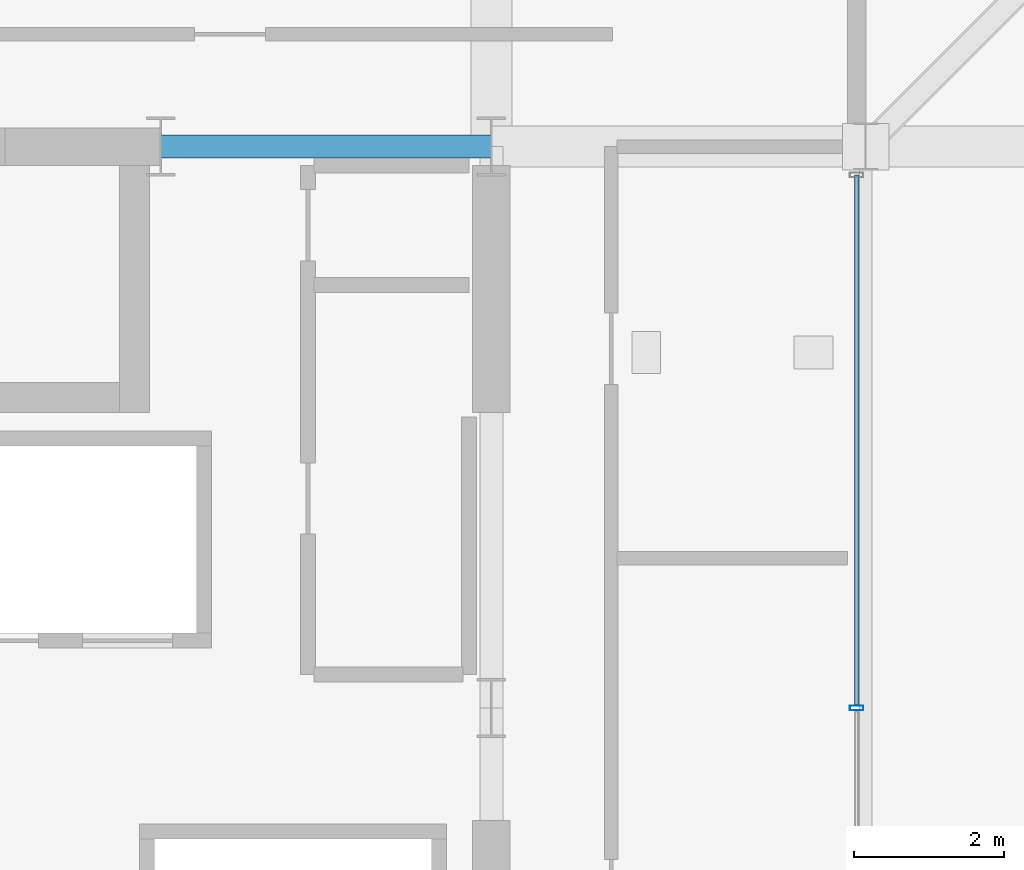
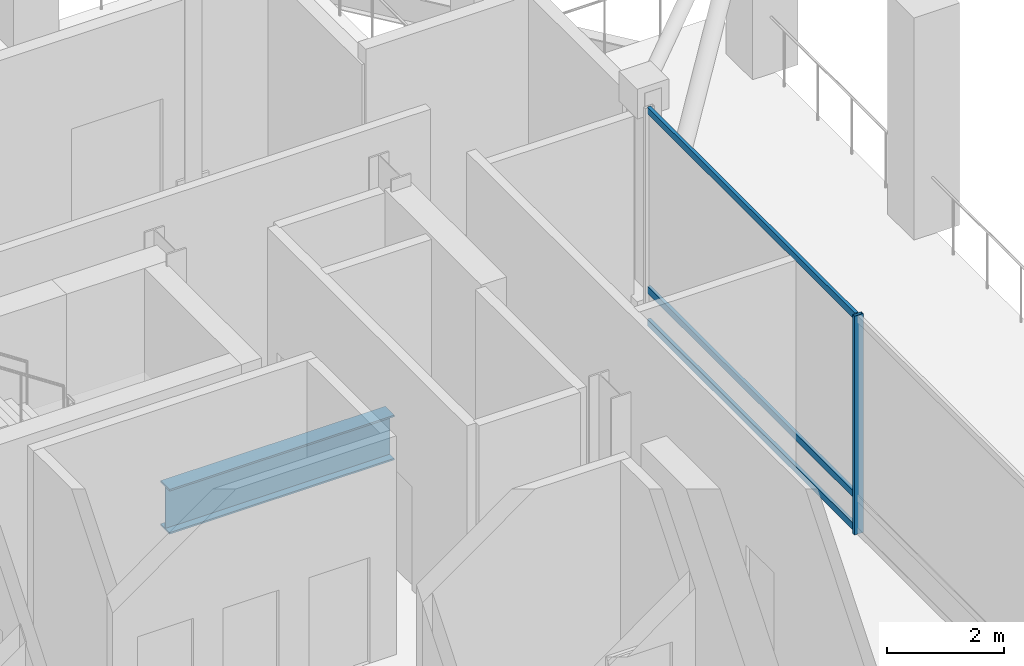
# One storey, part 9 of 17: 4 members, 1 beam, 1 element without a shape of its own.
"""IFC4 building model written with IfcOpenShell, lengths in metres."""

from ifc_helpers import new_model, si_unit, direction, frame, origin, origin_2d, place, context, subcontext, project, spatial, hollow_rectangle, i_section, extrude, material, layer, layer_set, material_profile, profile_set, type_object, element, aggregate, save


model = new_model("IFC4")

# Units and contexts
model_context = context("Model", 3, precision=1e-05, world=origin(), true_north=direction((0.0, 1.0)))
body_context = subcontext(model_context, "Body", "Model", "MODEL_VIEW")
ifc_project = project(units=[si_unit("LENGTHUNIT", "METRE"), si_unit("AREAUNIT", "SQUARE_METRE"), si_unit("VOLUMEUNIT", "CUBIC_METRE"), si_unit("PLANEANGLEUNIT", "RADIAN"), si_unit("MASSUNIT", "GRAM", prefix="KILO")], contexts=[model_context])

# Site, building, storey
site_placement = place(None, origin())
site = spatial("IfcSite", under=ifc_project, at=site_placement, CompositionType="ELEMENT")
building_placement = place(site_placement, origin())
building = spatial("IfcBuilding", under=site, at=building_placement, Name="Barlavira Tower and Art Museum", CompositionType="ELEMENT")
storey_placement = place(building_placement, frame((0.0, 0.0, 305.10009765625)))
storey = spatial("IfcBuildingStorey", under=building, at=storey_placement, Name="L80", CompositionType="ELEMENT", Elevation=305.10009765625)

# Curtain wall, members
ifc_material_1 = material(Name="Low-iron coastal laminated glass", Category="glass")
ifc_layer = layer(ifc_material_1, 0.22998046875, Name="Low-iron coastal laminated glass")
ifc_layer_set = layer_set([ifc_layer], Name="Low-iron coastal laminated glass")
curtain_wall_type = type_object("IfcCurtainWallType", Name="Winter-Garden Conservatory Glazed Curtain Wall", PredefinedType="NOTDEFINED", material=ifc_layer_set)
curtain_wall_placement = place(storey_placement, origin())
curtain_wall = element("IfcCurtainWall", 1, at=curtain_wall_placement, inside=storey, type_object=curtain_wall_type, Name="L80 Curtain Wall CW7-L80-E-B2", PredefinedType="NOTDEFINED")
ifc_material_2 = material(Name="Pale anodised aluminium", Category="aluminium")
ifc_material_profile_1 = material_profile(ifc_material_2, hollow_rectangle(XDim=0.06494140625, YDim=0.179931640625, WallThickness=0.00390625, at=origin_2d()), Name="ALU-MULL 65x180x4")
ifc_profile_set_1 = profile_set([ifc_material_profile_1], Name="Pale anodised aluminium")
member_type_1 = type_object("IfcMemberType", Name="Curtain Wall Pale-Metal Mullion 65x180", PredefinedType="MULLION", material=ifc_profile_set_1)
member_1_placement = place(storey_placement, frame((11.3798828125, 0.0, 0.0), z_axis=(0.0, 0.0, 1.0), x_axis=(0.0, 1.0, 0.0)))
member_1 = element("IfcMember", 2, at=member_1_placement, type_object=member_type_1, Name="CW7-L80-E-B2 Mullion 1", PredefinedType="MULLION", context=body_context, shape_type="SweptSolid", body=[
    extrude(hollow_rectangle(XDim=0.06494140625, YDim=0.179931640625, WallThickness=0.00390625, at=origin_2d()), origin(), (0.0, 0.0, 1.0), 4.5498046875),
])
ifc_material_profile_2 = material_profile(ifc_material_2, hollow_rectangle(XDim=0.06494140625, YDim=0.139892578125, WallThickness=0.00390625, at=origin_2d()), Name="ALU-TRAN 65x140x4")
ifc_profile_set_2 = profile_set([ifc_material_profile_2], Name="Pale anodised aluminium")
member_type_2 = type_object("IfcMemberType", Name="Curtain Wall Pale-Metal Transom 65x140", PredefinedType="USERDEFINED", material=ifc_profile_set_2)
member_2_placement = place(storey_placement, frame((11.3798828125, 0.044921875, 0.06982421875), z_axis=(0.0, 1.0, 0.0), x_axis=(-1.0, 0.0, 0.0)))
member_2 = element("IfcMember", 3, at=member_2_placement, type_object=member_type_2, Name="CW7-L80-E-B2 Transom 1.1", ObjectType="TRANSOM", PredefinedType="USERDEFINED", context=body_context, shape_type="SweptSolid", body=[
    extrude(hollow_rectangle(XDim=0.06494140625, YDim=0.139892578125, WallThickness=0.00390625, at=origin_2d()), origin(), (0.0, 0.0, 1.0), 7.07568359375),
])
member_3_placement = place(storey_placement, frame((11.3798828125, 0.044921875, 0.75), z_axis=(0.0, 1.0, 0.0), x_axis=(-1.0, 0.0, 0.0)))
member_3 = element("IfcMember", 4, at=member_3_placement, type_object=member_type_2, Name="CW7-L80-E-B2 Transom 1.2", ObjectType="TRANSOM", PredefinedType="USERDEFINED", context=body_context, shape_type="SweptSolid", body=[
    extrude(hollow_rectangle(XDim=0.06494140625, YDim=0.139892578125, WallThickness=0.00390625, at=origin_2d()), origin(), (0.0, 0.0, 1.0), 7.07568359375),
])
member_4_placement = place(storey_placement, frame((11.3798828125, 0.044921875, 4.47998046875), z_axis=(0.0, 1.0, 0.0), x_axis=(-1.0, 0.0, 0.0)))
member_4 = element("IfcMember", 5, at=member_4_placement, type_object=member_type_2, Name="CW7-L80-E-B2 Transom 1.3", ObjectType="TRANSOM", PredefinedType="USERDEFINED", context=body_context, shape_type="SweptSolid", body=[
    extrude(hollow_rectangle(XDim=0.06494140625, YDim=0.139892578125, WallThickness=0.00390625, at=origin_2d()), origin(), (0.0, 0.0, 1.0), 7.07568359375),
])
aggregate(curtain_wall, [member_1, member_2, member_3, member_4])

# Beam
ifc_material_3 = material(Name="Steel S355", Category="steel")
ifc_material_profile_3 = material_profile(ifc_material_3, i_section(OverallWidth=0.30908203125, OverallDepth=0.931884765625, WebThickness=0.01953125, FlangeThickness=0.034423828125, at=origin_2d()), Name="W920x313.0")
ifc_profile_set_3 = profile_set([ifc_material_profile_3], Name="Steel S355")
beam_type = type_object("IfcBeamType", Name="Setback Ring Girder W920x313 Steel S355", PredefinedType="BEAM", material=ifc_profile_set_3)
beam_placement = place(storey_placement, frame((2.080078125, 7.5, -0.76611328125), z_axis=(1.0, 0.0, 0.0), x_axis=(0.0, 1.0, 0.0)))
element("IfcBeam", 6, at=beam_placement, inside=storey, type_object=beam_type, Name="L80 Girder C-N2", PredefinedType="BEAM", context=body_context, shape_type="SweptSolid", body=[
    extrude(i_section(OverallWidth=0.30908203125, OverallDepth=0.931884765625, WebThickness=0.01953125, FlangeThickness=0.034423828125, at=origin_2d()), origin(), (0.0, 0.0, 1.0), 4.419921875),
])

save(model, "model.ifc")
